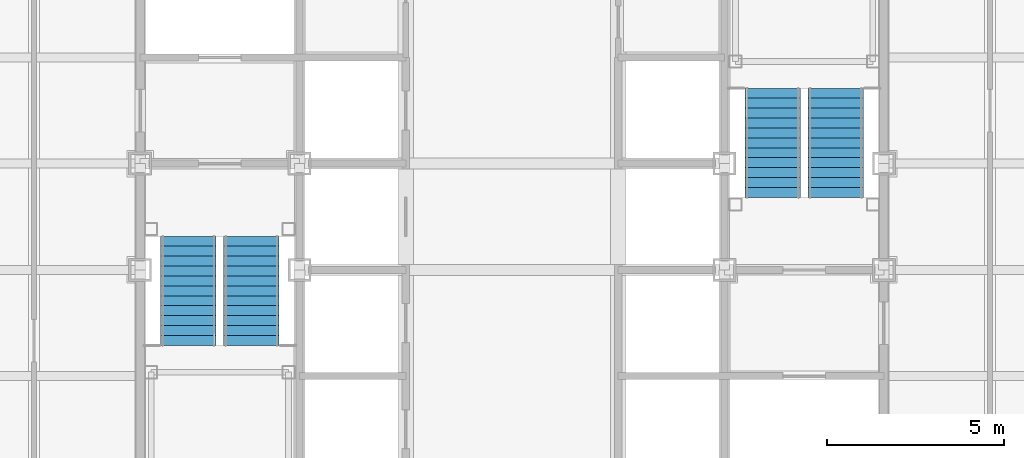
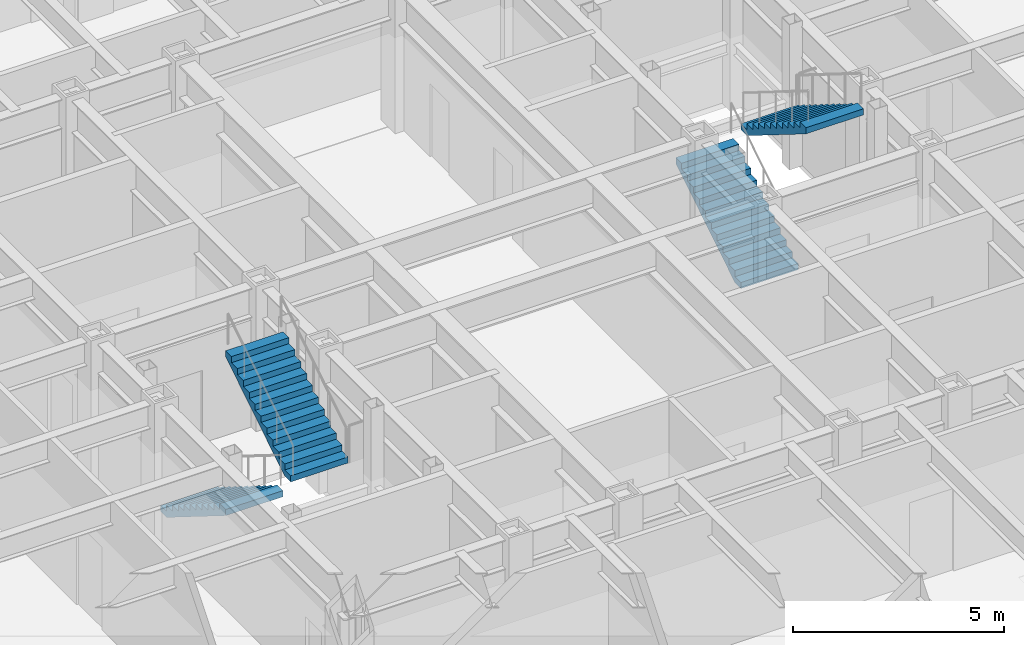
# One storey, part 13 of 15: 4 stair flights, 2 elements without a shape of their own.
"""IFC4 building model written with IfcOpenShell, lengths in metres."""

import ifcopenshell
import ifcopenshell.guid

model = None  # the IFC model being written
_history = None  # IfcOwnerHistory: only IFC2X3 demands one
_inside = {}  # id of a spatial element -> (the spatial element, [elements in it])
_under = {}  # id of a project, library or spatial element -> (it, [spatial elements below it])
_declared = {}  # id of a project -> (the project, [libraries it declares])
_typed = {}  # id of a type object -> (the type object, [elements of that type])
_made_of = {}  # id of a material, layer set ... -> (it, [elements and type objects made of it])


def new_model(schema):
    """Start an empty IFC model of exactly this schema.

    Asked for "IFC4X3", IfcOpenShell would pick the latest addendum, in which some entities
    have other attributes; the version numbers below select the first issue.
    IFC2X3 requires an IfcOwnerHistory on every rooted entity: one is made here for all.
    """
    global model, _history
    if schema == "IFC4X3":
        model = ifcopenshell.file(schema_version=(4, 3, 0, 0))
    else:
        model = ifcopenshell.file(schema=schema)
    _inside.clear()
    _under.clear()
    _declared.clear()
    _typed.clear()
    _made_of.clear()
    _history = None
    if model.schema == "IFC2X3":
        org = make("IfcOrganization", Name="unknown")
        user = make(
            "IfcPersonAndOrganization",
            ThePerson=make("IfcPerson", FamilyName="unknown"),
            TheOrganization=org,
        )
        app = make(
            "IfcApplication",
            ApplicationDeveloper=org,
            Version="unknown",
            ApplicationFullName="unknown",
            ApplicationIdentifier="unknown",
        )
        _history = make(
            "IfcOwnerHistory",
            OwningUser=user,
            OwningApplication=app,
            ChangeAction="ADDED",
            CreationDate=0,
        )
    return model


def make(cls, **values):
    """One entity of the class cls with the attributes given. An attribute that is None is left unset."""
    return model.create_entity(
        cls, **{name: value for name, value in values.items() if value is not None}
    )


def rooted(cls, **values):
    """An entity with a GlobalId (a new one), such as an element, a storey or a relation."""
    return make(cls, GlobalId=ifcopenshell.guid.new(), OwnerHistory=_history, **values)


def si_unit(unit_type, name, prefix=None):
    """IfcSIUnit, for example si_unit("LENGTHUNIT", "METRE", prefix="MILLI")."""
    return make("IfcSIUnit", UnitType=unit_type, Prefix=prefix, Name=name)


def assignment(units):
    """IfcUnitAssignment: the units of a project."""
    return None if units is None else make("IfcUnitAssignment", Units=units)


def point(xyz):
    """IfcCartesianPoint."""
    return None if xyz is None else make("IfcCartesianPoint", Coordinates=xyz)


def direction(xyz):
    """IfcDirection."""
    return None if xyz is None else make("IfcDirection", DirectionRatios=xyz)


def frame(location, z_axis=None, x_axis=None):
    """IfcAxis2Placement3D, a coordinate frame: its origin and axes. An axis left out is left unset."""
    return make(
        "IfcAxis2Placement3D",
        Location=point(location),
        Axis=direction(z_axis),
        RefDirection=direction(x_axis),
    )


def origin():
    """The frame at (0, 0, 0) with its axes left unset."""
    return frame((0.0, 0.0, 0.0))


def place(relative_to, where):
    """IfcLocalPlacement: puts the frame where relative to a parent placement (None: the world)."""
    return make(
        "IfcLocalPlacement", PlacementRelTo=relative_to, RelativePlacement=where
    )


def context(
    kind, dimensions, precision=None, world=None, true_north=None, identifier=None
):
    """IfcGeometricRepresentationContext, for example the 3D "Model" context."""
    return make(
        "IfcGeometricRepresentationContext",
        ContextIdentifier=identifier,
        ContextType=kind,
        CoordinateSpaceDimension=dimensions,
        Precision=precision,
        WorldCoordinateSystem=world,
        TrueNorth=true_north,
    )


def subcontext(parent, identifier, kind, view, scale=None):
    """IfcGeometricRepresentationSubContext, for example "Body" below "Model"."""
    return make(
        "IfcGeometricRepresentationSubContext",
        ContextIdentifier=identifier,
        ContextType=kind,
        ParentContext=parent,
        TargetScale=scale,
        TargetView=view,
    )


def project(units=None, contexts=None):
    """IfcProject with its units and contexts."""
    return rooted(
        "IfcProject",
        Name="project",
        RepresentationContexts=contexts,
        UnitsInContext=assignment(units),
    )


def spatial(cls, under=None, at=None, **own):
    """A site, building, storey or space (cls), placed at a placement, below another one or the project."""
    s = rooted(cls, ObjectPlacement=at, **own)
    if under is not None:
        _under.setdefault(under.id(), (under, []))[1].append(s)
    return s


def faces_of(points, faces, orient=None, outer=None):
    """IfcFace entities. A face is a list of loops; a loop is a list of indices into points, from 0.

    orient and outer hold one flag for each loop. By default every Orientation is true, the
    first loop of a face is its IfcFaceOuterBound and the others are IfcFaceBound.
    """
    made = []
    for i, loops in enumerate(faces):
        bounds = []
        for j, loop in enumerate(loops):
            is_outer = j == 0 if outer is None else outer[i][j]
            bounds.append(
                make(
                    "IfcFaceOuterBound" if is_outer else "IfcFaceBound",
                    Bound=make("IfcPolyLoop", Polygon=[points[k] for k in loop]),
                    Orientation=True if orient is None else orient[i][j],
                )
            )
        made.append(make("IfcFace", Bounds=bounds))
    return made


def faceted_brep(points, faces, orient=None, outer=None, voids=None):
    """IfcFacetedBrep: a solid bounded by flat faces; with voids (closed shells), ...WithVoids."""
    shared = [point(p) for p in points]
    hull = make("IfcClosedShell", CfsFaces=faces_of(shared, faces, orient, outer))
    if voids is None:
        return make("IfcFacetedBrep", Outer=hull)
    return make(
        "IfcFacetedBrepWithVoids",
        Outer=hull,
        Voids=[
            make(cls, CfsFaces=faces_of(shared, fs, o, b)) for cls, fs, o, b in voids
        ],
    )


def shape(context_of_items, identifier, shape_type, items):
    """IfcShapeRepresentation: the items that make up one representation, for example the "Body"."""
    return make(
        "IfcShapeRepresentation",
        ContextOfItems=context_of_items,
        RepresentationIdentifier=identifier,
        RepresentationType=shape_type,
        Items=items,
    )


def material(Name=None, Category=None):
    """IfcMaterial."""
    return make("IfcMaterial", Name=Name, Category=Category)


def made_of(thing, what):
    """Note that an element or type object is made of a material, layer set ...; save() writes the relation."""
    if what is not None:
        _made_of.setdefault(what.id(), (what, []))[1].append(thing)
    return thing


def type_object(cls, material=None, **own):
    """A type object (cls), such as IfcWallType, which elements share."""
    return made_of(rooted(cls, **own), material)


def element(
    cls,
    number,
    at=None,
    inside=None,
    cuts=None,
    type_object=None,
    material=None,
    context=None,
    identifier="Body",
    shape_type=None,
    held_by="IfcProductDefinitionShape",
    body=None,
    shapes=None,
    **own,
):
    """One element of the class cls, such as IfcWall. Its Tag is "e" and its number.

    at: its placement. inside: the storey or other place that contains it. cuts: it is an
    opening in that element (IfcRelVoidsElement). A single representation is given by context,
    identifier, shape_type and body (its items); several are given by shapes. held_by: the class
    of the entity that holds the representations. save() writes the other relations.
    """
    e = rooted(cls, Tag="e%d" % number, ObjectPlacement=at, **own)
    if body is not None:
        shapes = [shape(context, identifier, shape_type, body)]
    if shapes is not None:
        e.Representation = make(held_by, Representations=shapes)
    if inside is not None:
        _inside.setdefault(inside.id(), (inside, []))[1].append(e)
    if cuts is not None:
        rooted(
            "IfcRelVoidsElement", RelatingBuildingElement=cuts, RelatedOpeningElement=e
        )
    if type_object is not None:
        _typed.setdefault(type_object.id(), (type_object, []))[1].append(e)
    return made_of(e, material)


def aggregate(whole, parts):
    """IfcRelAggregates: a whole, such as a stair, and the parts it consists of."""
    return rooted("IfcRelAggregates", RelatingObject=whole, RelatedObjects=parts)


def save(model, path):
    """Write the relations noted so far, then the file.

    IfcRelAggregates (storeys below a building ...), IfcRelContainedInSpatialStructure (elements
    in a storey), IfcRelDefinesByType, IfcRelAssociatesMaterial and IfcRelDeclares: one each for
    every whole, place, type object, material and project.
    """
    for whole, parts in _under.values():
        aggregate(whole, parts)
    for where, things in _inside.values():
        rooted(
            "IfcRelContainedInSpatialStructure",
            RelatedElements=things,
            RelatingStructure=where,
        )
    for kind, things in _typed.values():
        rooted("IfcRelDefinesByType", RelatedObjects=things, RelatingType=kind)
    for what, things in _made_of.values():
        rooted("IfcRelAssociatesMaterial", RelatedObjects=things, RelatingMaterial=what)
    for by, libraries in _declared.values():
        rooted("IfcRelDeclares", RelatingContext=by, RelatedDefinitions=libraries)
    model.write(path)


model = new_model("IFC4")

# Units and contexts
model_context = context("Model", 3, precision=1e-05, world=origin(), true_north=direction((0.0, 1.0)))
body_context = subcontext(model_context, "Body", "Model", "MODEL_VIEW")
ifc_project = project(units=[si_unit("LENGTHUNIT", "METRE"), si_unit("AREAUNIT", "SQUARE_METRE"), si_unit("VOLUMEUNIT", "CUBIC_METRE"), si_unit("PLANEANGLEUNIT", "RADIAN"), si_unit("MASSUNIT", "GRAM", prefix="KILO")], contexts=[model_context])

# Site, building, storey
site_placement = place(None, origin())
site = spatial("IfcSite", under=ifc_project, at=site_placement, CompositionType="ELEMENT")
building_placement = place(site_placement, origin())
building = spatial("IfcBuilding", under=site, at=building_placement, Name="Chuquiago Exchange Tower", CompositionType="ELEMENT")
storey_placement = place(building_placement, frame((0.0, 0.0, 197.10009765625)))
storey = spatial("IfcBuildingStorey", under=building, at=storey_placement, Name="L43", CompositionType="ELEMENT", Elevation=197.10009765625)

# Stair, stair flights
ifc_material_1 = material(Name="Concrete C30/37, precast", Category="concrete")
stair_type_1 = type_object("IfcStairType", Name="ST1 half-turn stair 4200", PredefinedType="HALF_TURN_STAIR", material=ifc_material_1)
stair_1_placement = place(storey_placement, origin())
stair_1 = element("IfcStair", 1, at=stair_1_placement, inside=storey, type_object=stair_type_1, Name="Stair ST1 L43", PredefinedType="HALF_TURN_STAIR")
ifc_material_2 = material(Name="Concrete C30/37, precast", Category="concrete")
stair_flight_type = type_object("IfcStairFlightType", Name="ST-F flight 1570 for 4200 storey", PredefinedType="STRAIGHT", material=ifc_material_2)
stair_flight_1_placement = place(storey_placement, frame((13.360107421875, 21.949951171875, 0.0), z_axis=(0.0, 0.0, 1.0), x_axis=(0.0, -1.0, 0.0)))
stair_flight_1 = element("IfcStairFlight", 2, at=stair_flight_1_placement, type_object=stair_flight_type, Name="ST1 flight 1", NumberOfRisers=12, NumberOfTreads=11, PredefinedType="STRAIGHT", RiserHeight=0.175, TreadLength=0.28, context=body_context, shape_type="Brep", body=[
    faceted_brep([(0.0, 0.78515625, 0.0), (0.0, 0.78515625, 0.175048828125), (0.280029296875, 0.78515625, 0.175048828125), (0.280029296875, 0.78515625, 0.35009765625), (0.56005859375, 0.78515625, 0.35009765625), (0.56005859375, 0.78515625, 0.52490234375), (0.840087890625, 0.78515625, 0.52490234375), (0.840087890625, 0.78515625, 0.699951171875), (1.1201171875, 0.78515625, 0.699951171875), (1.1201171875, 0.78515625, 0.875), (1.39990234375, 0.78515625, 0.875), (1.39990234375, 0.78515625, 1.050048828125), (1.679931640625, 0.78515625, 1.050048828125), (1.679931640625, 0.78515625, 1.22509765625), (1.9599609375, 0.78515625, 1.22509765625), (1.9599609375, 0.78515625, 1.39990234375), (2.239990234375, 0.78515625, 1.39990234375), (2.239990234375, 0.78515625, 1.574951171875), (2.52001953125, 0.78515625, 1.574951171875), (2.52001953125, 0.78515625, 1.75), (2.800048828125, 0.78515625, 1.75), (2.800048828125, 0.78515625, 1.925048828125), (3.080078125, 0.78515625, 1.925048828125), (3.080078125, 0.78515625, 1.748291015625), (0.28271484375, 0.78515625, 0.0), (0.28271484375, -0.78515625, 0.0), (3.080078125, -0.78515625, 1.748291015625), (3.080078125, -0.78515625, 1.925048828125), (2.800048828125, -0.78515625, 1.925048828125), (2.800048828125, -0.78515625, 1.75), (2.52001953125, -0.78515625, 1.75), (2.52001953125, -0.78515625, 1.574951171875), (2.239990234375, -0.78515625, 1.574951171875), (2.239990234375, -0.78515625, 1.39990234375), (1.9599609375, -0.78515625, 1.39990234375), (1.9599609375, -0.78515625, 1.22509765625), (1.679931640625, -0.78515625, 1.22509765625), (1.679931640625, -0.78515625, 1.050048828125), (1.39990234375, -0.78515625, 1.050048828125), (1.39990234375, -0.78515625, 0.875), (1.1201171875, -0.78515625, 0.875), (1.1201171875, -0.78515625, 0.699951171875), (0.840087890625, -0.78515625, 0.699951171875), (0.840087890625, -0.78515625, 0.52490234375), (0.56005859375, -0.78515625, 0.52490234375), (0.56005859375, -0.78515625, 0.35009765625), (0.280029296875, -0.78515625, 0.35009765625), (0.280029296875, -0.78515625, 0.175048828125), (0.0, -0.78515625, 0.175048828125), (0.0, -0.78515625, 0.0), (0.0, 0.392578125, 0.0), (0.0, 0.392578125, 0.175048828125), (0.0, 0.0, 0.0), (0.0, 0.0, 0.175048828125), (0.0, -0.392578125, 0.0), (0.0, -0.392578125, 0.175048828125), (0.280029296875, 0.392578125, 0.175048828125), (0.280029296875, 0.0, 0.175048828125), (0.280029296875, -0.392578125, 0.175048828125), (0.280029296875, 0.392578125, 0.35009765625), (0.280029296875, 0.0, 0.35009765625), (0.280029296875, -0.392578125, 0.35009765625), (0.56005859375, 0.392578125, 0.35009765625), (0.56005859375, 0.0, 0.35009765625), (0.56005859375, -0.392578125, 0.35009765625), (0.56005859375, 0.392578125, 0.52490234375), (0.56005859375, 0.0, 0.52490234375), (0.56005859375, -0.392578125, 0.52490234375), (0.840087890625, 0.392578125, 0.52490234375), (0.840087890625, 0.0, 0.52490234375), (0.840087890625, -0.392578125, 0.52490234375), (0.840087890625, 0.392578125, 0.699951171875), (0.840087890625, 0.0, 0.699951171875), (0.840087890625, -0.392578125, 0.699951171875), (1.1201171875, 0.392578125, 0.699951171875), (1.1201171875, 0.0, 0.699951171875), (1.1201171875, -0.392578125, 0.699951171875), (1.1201171875, 0.392578125, 0.875), (1.1201171875, 0.0, 0.875), (1.1201171875, -0.392578125, 0.875), (1.39990234375, 0.392578125, 0.875), (1.39990234375, 0.0, 0.875), (1.39990234375, -0.392578125, 0.875), (1.39990234375, 0.392578125, 1.050048828125), (1.39990234375, 0.0, 1.050048828125), (1.39990234375, -0.392578125, 1.050048828125), (1.679931640625, 0.392578125, 1.050048828125), (1.679931640625, 0.0, 1.050048828125), (1.679931640625, -0.392578125, 1.050048828125), (1.679931640625, 0.392578125, 1.22509765625), (1.679931640625, 0.0, 1.22509765625), (1.679931640625, -0.392578125, 1.22509765625), (1.9599609375, 0.392578125, 1.22509765625), (1.9599609375, 0.0, 1.22509765625), (1.9599609375, -0.392578125, 1.22509765625), (1.9599609375, 0.392578125, 1.39990234375), (1.9599609375, 0.0, 1.39990234375), (1.9599609375, -0.392578125, 1.39990234375), (2.239990234375, 0.392578125, 1.39990234375), (2.239990234375, 0.0, 1.39990234375), (2.239990234375, -0.392578125, 1.39990234375), (2.239990234375, 0.392578125, 1.574951171875), (2.239990234375, 0.0, 1.574951171875), (2.239990234375, -0.392578125, 1.574951171875), (2.52001953125, 0.392578125, 1.574951171875), (2.52001953125, 0.0, 1.574951171875), (2.52001953125, -0.392578125, 1.574951171875), (2.52001953125, 0.392578125, 1.75), (2.52001953125, 0.0, 1.75), (2.52001953125, -0.392578125, 1.75), (2.800048828125, 0.392578125, 1.75), (2.800048828125, 0.0, 1.75), (2.800048828125, -0.392578125, 1.75), (2.800048828125, 0.392578125, 1.925048828125), (2.800048828125, 0.0, 1.925048828125), (2.800048828125, -0.392578125, 1.925048828125), (3.080078125, 0.392578125, 1.925048828125), (3.080078125, 0.0, 1.925048828125), (3.080078125, -0.392578125, 1.925048828125), (3.080078125, 0.392578125, 1.748291015625), (3.080078125, 0.0, 1.748291015625), (3.080078125, -0.392578125, 1.748291015625), (0.28271484375, 0.392578125, 0.0), (0.28271484375, 0.0, 0.0), (0.28271484375, -0.392578125, 0.0)], [[[0, 1, 2, 3, 4, 5, 6, 7, 8, 9, 10, 11, 12, 13, 14, 15, 16, 17, 18, 19, 20, 21, 22, 23, 24]], [[25, 26, 27, 28, 29, 30, 31, 32, 33, 34, 35, 36, 37, 38, 39, 40, 41, 42, 43, 44, 45, 46, 47, 48, 49]], [[1, 0, 50, 51]], [[51, 50, 52, 53]], [[53, 52, 54, 55]], [[55, 54, 49, 48]], [[2, 1, 51, 56]], [[56, 51, 53, 57]], [[57, 53, 55, 58]], [[58, 55, 48, 47]], [[3, 2, 56, 59]], [[59, 56, 57, 60]], [[60, 57, 58, 61]], [[61, 58, 47, 46]], [[4, 3, 59, 62]], [[62, 59, 60, 63]], [[63, 60, 61, 64]], [[64, 61, 46, 45]], [[5, 4, 62, 65]], [[65, 62, 63, 66]], [[66, 63, 64, 67]], [[67, 64, 45, 44]], [[6, 5, 65, 68]], [[68, 65, 66, 69]], [[69, 66, 67, 70]], [[70, 67, 44, 43]], [[7, 6, 68, 71]], [[71, 68, 69, 72]], [[72, 69, 70, 73]], [[73, 70, 43, 42]], [[8, 7, 71, 74]], [[74, 71, 72, 75]], [[75, 72, 73, 76]], [[76, 73, 42, 41]], [[9, 8, 74, 77]], [[77, 74, 75, 78]], [[78, 75, 76, 79]], [[79, 76, 41, 40]], [[10, 9, 77, 80]], [[80, 77, 78, 81]], [[81, 78, 79, 82]], [[82, 79, 40, 39]], [[11, 10, 80, 83]], [[83, 80, 81, 84]], [[84, 81, 82, 85]], [[85, 82, 39, 38]], [[12, 11, 83, 86]], [[86, 83, 84, 87]], [[87, 84, 85, 88]], [[88, 85, 38, 37]], [[13, 12, 86, 89]], [[89, 86, 87, 90]], [[90, 87, 88, 91]], [[91, 88, 37, 36]], [[14, 13, 89, 92]], [[92, 89, 90, 93]], [[93, 90, 91, 94]], [[94, 91, 36, 35]], [[15, 14, 92, 95]], [[95, 92, 93, 96]], [[96, 93, 94, 97]], [[97, 94, 35, 34]], [[16, 15, 95, 98]], [[98, 95, 96, 99]], [[99, 96, 97, 100]], [[100, 97, 34, 33]], [[17, 16, 98, 101]], [[101, 98, 99, 102]], [[102, 99, 100, 103]], [[103, 100, 33, 32]], [[18, 17, 101, 104]], [[104, 101, 102, 105]], [[105, 102, 103, 106]], [[106, 103, 32, 31]], [[19, 18, 104, 107]], [[107, 104, 105, 108]], [[108, 105, 106, 109]], [[109, 106, 31, 30]], [[20, 19, 107, 110]], [[110, 107, 108, 111]], [[111, 108, 109, 112]], [[112, 109, 30, 29]], [[21, 20, 110, 113]], [[113, 110, 111, 114]], [[114, 111, 112, 115]], [[115, 112, 29, 28]], [[22, 21, 113, 116]], [[116, 113, 114, 117]], [[117, 114, 115, 118]], [[118, 115, 28, 27]], [[23, 22, 116, 119]], [[119, 116, 117, 120]], [[120, 117, 118, 121]], [[121, 118, 27, 26]], [[24, 23, 119, 122]], [[122, 119, 120, 123]], [[123, 120, 121, 124]], [[124, 121, 26, 25]], [[0, 24, 122, 50]], [[50, 122, 123, 52]], [[52, 123, 124, 54]], [[54, 124, 25, 49]]]),
])
stair_flight_2_placement = place(storey_placement, frame((15.139892578125, 18.8701171875, 2.099853515625), z_axis=(0.0, 0.0, 1.0), x_axis=(0.0, 1.0, 0.0)))
stair_flight_2 = element("IfcStairFlight", 3, at=stair_flight_2_placement, type_object=stair_flight_type, Name="ST1 flight 2", NumberOfRisers=12, NumberOfTreads=11, PredefinedType="STRAIGHT", RiserHeight=0.175, TreadLength=0.28, context=body_context, shape_type="Brep", body=[
    faceted_brep([(0.0, 0.78515625, 0.0), (0.0, 0.78515625, 0.175048828125), (0.280029296875, 0.78515625, 0.175048828125), (0.280029296875, 0.78515625, 0.35009765625), (0.56005859375, 0.78515625, 0.35009765625), (0.56005859375, 0.78515625, 0.52490234375), (0.840087890625, 0.78515625, 0.52490234375), (0.840087890625, 0.78515625, 0.699951171875), (1.1201171875, 0.78515625, 0.699951171875), (1.1201171875, 0.78515625, 0.875), (1.39990234375, 0.78515625, 0.875), (1.39990234375, 0.78515625, 1.050048828125), (1.679931640625, 0.78515625, 1.050048828125), (1.679931640625, 0.78515625, 1.22509765625), (1.9599609375, 0.78515625, 1.22509765625), (1.9599609375, 0.78515625, 1.39990234375), (2.239990234375, 0.78515625, 1.39990234375), (2.239990234375, 0.78515625, 1.574951171875), (2.52001953125, 0.78515625, 1.574951171875), (2.52001953125, 0.78515625, 1.75), (2.800048828125, 0.78515625, 1.75), (2.800048828125, 0.78515625, 1.925048828125), (3.080078125, 0.78515625, 1.925048828125), (3.080078125, 0.78515625, 1.748291015625), (0.28271484375, 0.78515625, 0.0), (0.28271484375, -0.78515625, 0.0), (3.080078125, -0.78515625, 1.748291015625), (3.080078125, -0.78515625, 1.925048828125), (2.800048828125, -0.78515625, 1.925048828125), (2.800048828125, -0.78515625, 1.75), (2.52001953125, -0.78515625, 1.75), (2.52001953125, -0.78515625, 1.574951171875), (2.239990234375, -0.78515625, 1.574951171875), (2.239990234375, -0.78515625, 1.39990234375), (1.9599609375, -0.78515625, 1.39990234375), (1.9599609375, -0.78515625, 1.22509765625), (1.679931640625, -0.78515625, 1.22509765625), (1.679931640625, -0.78515625, 1.050048828125), (1.39990234375, -0.78515625, 1.050048828125), (1.39990234375, -0.78515625, 0.875), (1.1201171875, -0.78515625, 0.875), (1.1201171875, -0.78515625, 0.699951171875), (0.840087890625, -0.78515625, 0.699951171875), (0.840087890625, -0.78515625, 0.52490234375), (0.56005859375, -0.78515625, 0.52490234375), (0.56005859375, -0.78515625, 0.35009765625), (0.280029296875, -0.78515625, 0.35009765625), (0.280029296875, -0.78515625, 0.175048828125), (0.0, -0.78515625, 0.175048828125), (0.0, -0.78515625, 0.0), (0.0, 0.392578125, 0.0), (0.0, 0.392578125, 0.175048828125), (0.0, 0.0, 0.0), (0.0, 0.0, 0.175048828125), (0.0, -0.392578125, 0.0), (0.0, -0.392578125, 0.175048828125), (0.280029296875, 0.392578125, 0.175048828125), (0.280029296875, 0.0, 0.175048828125), (0.280029296875, -0.392578125, 0.175048828125), (0.280029296875, 0.392578125, 0.35009765625), (0.280029296875, 0.0, 0.35009765625), (0.280029296875, -0.392578125, 0.35009765625), (0.56005859375, 0.392578125, 0.35009765625), (0.56005859375, 0.0, 0.35009765625), (0.56005859375, -0.392578125, 0.35009765625), (0.56005859375, 0.392578125, 0.52490234375), (0.56005859375, 0.0, 0.52490234375), (0.56005859375, -0.392578125, 0.52490234375), (0.840087890625, 0.392578125, 0.52490234375), (0.840087890625, 0.0, 0.52490234375), (0.840087890625, -0.392578125, 0.52490234375), (0.840087890625, 0.392578125, 0.699951171875), (0.840087890625, 0.0, 0.699951171875), (0.840087890625, -0.392578125, 0.699951171875), (1.1201171875, 0.392578125, 0.699951171875), (1.1201171875, 0.0, 0.699951171875), (1.1201171875, -0.392578125, 0.699951171875), (1.1201171875, 0.392578125, 0.875), (1.1201171875, 0.0, 0.875), (1.1201171875, -0.392578125, 0.875), (1.39990234375, 0.392578125, 0.875), (1.39990234375, 0.0, 0.875), (1.39990234375, -0.392578125, 0.875), (1.39990234375, 0.392578125, 1.050048828125), (1.39990234375, 0.0, 1.050048828125), (1.39990234375, -0.392578125, 1.050048828125), (1.679931640625, 0.392578125, 1.050048828125), (1.679931640625, 0.0, 1.050048828125), (1.679931640625, -0.392578125, 1.050048828125), (1.679931640625, 0.392578125, 1.22509765625), (1.679931640625, 0.0, 1.22509765625), (1.679931640625, -0.392578125, 1.22509765625), (1.9599609375, 0.392578125, 1.22509765625), (1.9599609375, 0.0, 1.22509765625), (1.9599609375, -0.392578125, 1.22509765625), (1.9599609375, 0.392578125, 1.39990234375), (1.9599609375, 0.0, 1.39990234375), (1.9599609375, -0.392578125, 1.39990234375), (2.239990234375, 0.392578125, 1.39990234375), (2.239990234375, 0.0, 1.39990234375), (2.239990234375, -0.392578125, 1.39990234375), (2.239990234375, 0.392578125, 1.574951171875), (2.239990234375, 0.0, 1.574951171875), (2.239990234375, -0.392578125, 1.574951171875), (2.52001953125, 0.392578125, 1.574951171875), (2.52001953125, 0.0, 1.574951171875), (2.52001953125, -0.392578125, 1.574951171875), (2.52001953125, 0.392578125, 1.75), (2.52001953125, 0.0, 1.75), (2.52001953125, -0.392578125, 1.75), (2.800048828125, 0.392578125, 1.75), (2.800048828125, 0.0, 1.75), (2.800048828125, -0.392578125, 1.75), (2.800048828125, 0.392578125, 1.925048828125), (2.800048828125, 0.0, 1.925048828125), (2.800048828125, -0.392578125, 1.925048828125), (3.080078125, 0.392578125, 1.925048828125), (3.080078125, 0.0, 1.925048828125), (3.080078125, -0.392578125, 1.925048828125), (3.080078125, 0.392578125, 1.748291015625), (3.080078125, 0.0, 1.748291015625), (3.080078125, -0.392578125, 1.748291015625), (0.28271484375, 0.392578125, 0.0), (0.28271484375, 0.0, 0.0), (0.28271484375, -0.392578125, 0.0)], [[[0, 1, 2, 3, 4, 5, 6, 7, 8, 9, 10, 11, 12, 13, 14, 15, 16, 17, 18, 19, 20, 21, 22, 23, 24]], [[25, 26, 27, 28, 29, 30, 31, 32, 33, 34, 35, 36, 37, 38, 39, 40, 41, 42, 43, 44, 45, 46, 47, 48, 49]], [[1, 0, 50, 51]], [[51, 50, 52, 53]], [[53, 52, 54, 55]], [[55, 54, 49, 48]], [[2, 1, 51, 56]], [[56, 51, 53, 57]], [[57, 53, 55, 58]], [[58, 55, 48, 47]], [[3, 2, 56, 59]], [[59, 56, 57, 60]], [[60, 57, 58, 61]], [[61, 58, 47, 46]], [[4, 3, 59, 62]], [[62, 59, 60, 63]], [[63, 60, 61, 64]], [[64, 61, 46, 45]], [[5, 4, 62, 65]], [[65, 62, 63, 66]], [[66, 63, 64, 67]], [[67, 64, 45, 44]], [[6, 5, 65, 68]], [[68, 65, 66, 69]], [[69, 66, 67, 70]], [[70, 67, 44, 43]], [[7, 6, 68, 71]], [[71, 68, 69, 72]], [[72, 69, 70, 73]], [[73, 70, 43, 42]], [[8, 7, 71, 74]], [[74, 71, 72, 75]], [[75, 72, 73, 76]], [[76, 73, 42, 41]], [[9, 8, 74, 77]], [[77, 74, 75, 78]], [[78, 75, 76, 79]], [[79, 76, 41, 40]], [[10, 9, 77, 80]], [[80, 77, 78, 81]], [[81, 78, 79, 82]], [[82, 79, 40, 39]], [[11, 10, 80, 83]], [[83, 80, 81, 84]], [[84, 81, 82, 85]], [[85, 82, 39, 38]], [[12, 11, 83, 86]], [[86, 83, 84, 87]], [[87, 84, 85, 88]], [[88, 85, 38, 37]], [[13, 12, 86, 89]], [[89, 86, 87, 90]], [[90, 87, 88, 91]], [[91, 88, 37, 36]], [[14, 13, 89, 92]], [[92, 89, 90, 93]], [[93, 90, 91, 94]], [[94, 91, 36, 35]], [[15, 14, 92, 95]], [[95, 92, 93, 96]], [[96, 93, 94, 97]], [[97, 94, 35, 34]], [[16, 15, 95, 98]], [[98, 95, 96, 99]], [[99, 96, 97, 100]], [[100, 97, 34, 33]], [[17, 16, 98, 101]], [[101, 98, 99, 102]], [[102, 99, 100, 103]], [[103, 100, 33, 32]], [[18, 17, 101, 104]], [[104, 101, 102, 105]], [[105, 102, 103, 106]], [[106, 103, 32, 31]], [[19, 18, 104, 107]], [[107, 104, 105, 108]], [[108, 105, 106, 109]], [[109, 106, 31, 30]], [[20, 19, 107, 110]], [[110, 107, 108, 111]], [[111, 108, 109, 112]], [[112, 109, 30, 29]], [[21, 20, 110, 113]], [[113, 110, 111, 114]], [[114, 111, 112, 115]], [[115, 112, 29, 28]], [[22, 21, 113, 116]], [[116, 113, 114, 117]], [[117, 114, 115, 118]], [[118, 115, 28, 27]], [[23, 22, 116, 119]], [[119, 116, 117, 120]], [[120, 117, 118, 121]], [[121, 118, 27, 26]], [[24, 23, 119, 122]], [[122, 119, 120, 123]], [[123, 120, 121, 124]], [[124, 121, 26, 25]], [[0, 24, 122, 50]], [[50, 122, 123, 52]], [[52, 123, 124, 54]], [[54, 124, 25, 49]]]),
])
aggregate(stair_1, [stair_flight_1, stair_flight_2])

ifc_material_3 = material(Name="Concrete C30/37, precast", Category="concrete")
stair_type_2 = type_object("IfcStairType", Name="ST2 half-turn stair 4200", PredefinedType="HALF_TURN_STAIR", material=ifc_material_3)
stair_2_placement = place(storey_placement, origin())
stair_2 = element("IfcStair", 4, at=stair_2_placement, inside=storey, type_object=stair_type_2, Name="Stair ST2 L43", PredefinedType="HALF_TURN_STAIR")
stair_flight_3_placement = place(storey_placement, frame((29.860107421875, 23.050048828125, 0.0), z_axis=(0.0, 0.0, 1.0), x_axis=(0.0, 1.0, 0.0)))
stair_flight_3 = element("IfcStairFlight", 5, at=stair_flight_3_placement, type_object=stair_flight_type, Name="ST2 flight 1", NumberOfRisers=12, NumberOfTreads=11, PredefinedType="STRAIGHT", RiserHeight=0.175, TreadLength=0.28, context=body_context, shape_type="Brep", body=[
    faceted_brep([(0.0, 0.78515625, 0.0), (0.0, 0.78515625, 0.175048828125), (0.280029296875, 0.78515625, 0.175048828125), (0.280029296875, 0.78515625, 0.35009765625), (0.56005859375, 0.78515625, 0.35009765625), (0.56005859375, 0.78515625, 0.52490234375), (0.840087890625, 0.78515625, 0.52490234375), (0.840087890625, 0.78515625, 0.699951171875), (1.1201171875, 0.78515625, 0.699951171875), (1.1201171875, 0.78515625, 0.875), (1.39990234375, 0.78515625, 0.875), (1.39990234375, 0.78515625, 1.050048828125), (1.679931640625, 0.78515625, 1.050048828125), (1.679931640625, 0.78515625, 1.22509765625), (1.9599609375, 0.78515625, 1.22509765625), (1.9599609375, 0.78515625, 1.39990234375), (2.239990234375, 0.78515625, 1.39990234375), (2.239990234375, 0.78515625, 1.574951171875), (2.52001953125, 0.78515625, 1.574951171875), (2.52001953125, 0.78515625, 1.75), (2.800048828125, 0.78515625, 1.75), (2.800048828125, 0.78515625, 1.925048828125), (3.080078125, 0.78515625, 1.925048828125), (3.080078125, 0.78515625, 1.748291015625), (0.28271484375, 0.78515625, 0.0), (0.28271484375, -0.78515625, 0.0), (3.080078125, -0.78515625, 1.748291015625), (3.080078125, -0.78515625, 1.925048828125), (2.800048828125, -0.78515625, 1.925048828125), (2.800048828125, -0.78515625, 1.75), (2.52001953125, -0.78515625, 1.75), (2.52001953125, -0.78515625, 1.574951171875), (2.239990234375, -0.78515625, 1.574951171875), (2.239990234375, -0.78515625, 1.39990234375), (1.9599609375, -0.78515625, 1.39990234375), (1.9599609375, -0.78515625, 1.22509765625), (1.679931640625, -0.78515625, 1.22509765625), (1.679931640625, -0.78515625, 1.050048828125), (1.39990234375, -0.78515625, 1.050048828125), (1.39990234375, -0.78515625, 0.875), (1.1201171875, -0.78515625, 0.875), (1.1201171875, -0.78515625, 0.699951171875), (0.840087890625, -0.78515625, 0.699951171875), (0.840087890625, -0.78515625, 0.52490234375), (0.56005859375, -0.78515625, 0.52490234375), (0.56005859375, -0.78515625, 0.35009765625), (0.280029296875, -0.78515625, 0.35009765625), (0.280029296875, -0.78515625, 0.175048828125), (0.0, -0.78515625, 0.175048828125), (0.0, -0.78515625, 0.0), (0.0, 0.392578125, 0.0), (0.0, 0.392578125, 0.175048828125), (0.0, 0.0, 0.0), (0.0, 0.0, 0.175048828125), (0.0, -0.392578125, 0.0), (0.0, -0.392578125, 0.175048828125), (0.280029296875, 0.392578125, 0.175048828125), (0.280029296875, 0.0, 0.175048828125), (0.280029296875, -0.392578125, 0.175048828125), (0.280029296875, 0.392578125, 0.35009765625), (0.280029296875, 0.0, 0.35009765625), (0.280029296875, -0.392578125, 0.35009765625), (0.56005859375, 0.392578125, 0.35009765625), (0.56005859375, 0.0, 0.35009765625), (0.56005859375, -0.392578125, 0.35009765625), (0.56005859375, 0.392578125, 0.52490234375), (0.56005859375, 0.0, 0.52490234375), (0.56005859375, -0.392578125, 0.52490234375), (0.840087890625, 0.392578125, 0.52490234375), (0.840087890625, 0.0, 0.52490234375), (0.840087890625, -0.392578125, 0.52490234375), (0.840087890625, 0.392578125, 0.699951171875), (0.840087890625, 0.0, 0.699951171875), (0.840087890625, -0.392578125, 0.699951171875), (1.1201171875, 0.392578125, 0.699951171875), (1.1201171875, 0.0, 0.699951171875), (1.1201171875, -0.392578125, 0.699951171875), (1.1201171875, 0.392578125, 0.875), (1.1201171875, 0.0, 0.875), (1.1201171875, -0.392578125, 0.875), (1.39990234375, 0.392578125, 0.875), (1.39990234375, 0.0, 0.875), (1.39990234375, -0.392578125, 0.875), (1.39990234375, 0.392578125, 1.050048828125), (1.39990234375, 0.0, 1.050048828125), (1.39990234375, -0.392578125, 1.050048828125), (1.679931640625, 0.392578125, 1.050048828125), (1.679931640625, 0.0, 1.050048828125), (1.679931640625, -0.392578125, 1.050048828125), (1.679931640625, 0.392578125, 1.22509765625), (1.679931640625, 0.0, 1.22509765625), (1.679931640625, -0.392578125, 1.22509765625), (1.9599609375, 0.392578125, 1.22509765625), (1.9599609375, 0.0, 1.22509765625), (1.9599609375, -0.392578125, 1.22509765625), (1.9599609375, 0.392578125, 1.39990234375), (1.9599609375, 0.0, 1.39990234375), (1.9599609375, -0.392578125, 1.39990234375), (2.239990234375, 0.392578125, 1.39990234375), (2.239990234375, 0.0, 1.39990234375), (2.239990234375, -0.392578125, 1.39990234375), (2.239990234375, 0.392578125, 1.574951171875), (2.239990234375, 0.0, 1.574951171875), (2.239990234375, -0.392578125, 1.574951171875), (2.52001953125, 0.392578125, 1.574951171875), (2.52001953125, 0.0, 1.574951171875), (2.52001953125, -0.392578125, 1.574951171875), (2.52001953125, 0.392578125, 1.75), (2.52001953125, 0.0, 1.75), (2.52001953125, -0.392578125, 1.75), (2.800048828125, 0.392578125, 1.75), (2.800048828125, 0.0, 1.75), (2.800048828125, -0.392578125, 1.75), (2.800048828125, 0.392578125, 1.925048828125), (2.800048828125, 0.0, 1.925048828125), (2.800048828125, -0.392578125, 1.925048828125), (3.080078125, 0.392578125, 1.925048828125), (3.080078125, 0.0, 1.925048828125), (3.080078125, -0.392578125, 1.925048828125), (3.080078125, 0.392578125, 1.748291015625), (3.080078125, 0.0, 1.748291015625), (3.080078125, -0.392578125, 1.748291015625), (0.28271484375, 0.392578125, 0.0), (0.28271484375, 0.0, 0.0), (0.28271484375, -0.392578125, 0.0)], [[[0, 1, 2, 3, 4, 5, 6, 7, 8, 9, 10, 11, 12, 13, 14, 15, 16, 17, 18, 19, 20, 21, 22, 23, 24]], [[25, 26, 27, 28, 29, 30, 31, 32, 33, 34, 35, 36, 37, 38, 39, 40, 41, 42, 43, 44, 45, 46, 47, 48, 49]], [[1, 0, 50, 51]], [[51, 50, 52, 53]], [[53, 52, 54, 55]], [[55, 54, 49, 48]], [[2, 1, 51, 56]], [[56, 51, 53, 57]], [[57, 53, 55, 58]], [[58, 55, 48, 47]], [[3, 2, 56, 59]], [[59, 56, 57, 60]], [[60, 57, 58, 61]], [[61, 58, 47, 46]], [[4, 3, 59, 62]], [[62, 59, 60, 63]], [[63, 60, 61, 64]], [[64, 61, 46, 45]], [[5, 4, 62, 65]], [[65, 62, 63, 66]], [[66, 63, 64, 67]], [[67, 64, 45, 44]], [[6, 5, 65, 68]], [[68, 65, 66, 69]], [[69, 66, 67, 70]], [[70, 67, 44, 43]], [[7, 6, 68, 71]], [[71, 68, 69, 72]], [[72, 69, 70, 73]], [[73, 70, 43, 42]], [[8, 7, 71, 74]], [[74, 71, 72, 75]], [[75, 72, 73, 76]], [[76, 73, 42, 41]], [[9, 8, 74, 77]], [[77, 74, 75, 78]], [[78, 75, 76, 79]], [[79, 76, 41, 40]], [[10, 9, 77, 80]], [[80, 77, 78, 81]], [[81, 78, 79, 82]], [[82, 79, 40, 39]], [[11, 10, 80, 83]], [[83, 80, 81, 84]], [[84, 81, 82, 85]], [[85, 82, 39, 38]], [[12, 11, 83, 86]], [[86, 83, 84, 87]], [[87, 84, 85, 88]], [[88, 85, 38, 37]], [[13, 12, 86, 89]], [[89, 86, 87, 90]], [[90, 87, 88, 91]], [[91, 88, 37, 36]], [[14, 13, 89, 92]], [[92, 89, 90, 93]], [[93, 90, 91, 94]], [[94, 91, 36, 35]], [[15, 14, 92, 95]], [[95, 92, 93, 96]], [[96, 93, 94, 97]], [[97, 94, 35, 34]], [[16, 15, 95, 98]], [[98, 95, 96, 99]], [[99, 96, 97, 100]], [[100, 97, 34, 33]], [[17, 16, 98, 101]], [[101, 98, 99, 102]], [[102, 99, 100, 103]], [[103, 100, 33, 32]], [[18, 17, 101, 104]], [[104, 101, 102, 105]], [[105, 102, 103, 106]], [[106, 103, 32, 31]], [[19, 18, 104, 107]], [[107, 104, 105, 108]], [[108, 105, 106, 109]], [[109, 106, 31, 30]], [[20, 19, 107, 110]], [[110, 107, 108, 111]], [[111, 108, 109, 112]], [[112, 109, 30, 29]], [[21, 20, 110, 113]], [[113, 110, 111, 114]], [[114, 111, 112, 115]], [[115, 112, 29, 28]], [[22, 21, 113, 116]], [[116, 113, 114, 117]], [[117, 114, 115, 118]], [[118, 115, 28, 27]], [[23, 22, 116, 119]], [[119, 116, 117, 120]], [[120, 117, 118, 121]], [[121, 118, 27, 26]], [[24, 23, 119, 122]], [[122, 119, 120, 123]], [[123, 120, 121, 124]], [[124, 121, 26, 25]], [[0, 24, 122, 50]], [[50, 122, 123, 52]], [[52, 123, 124, 54]], [[54, 124, 25, 49]]]),
])
stair_flight_4_placement = place(storey_placement, frame((31.639892578125, 26.1298828125, 2.099853515625), z_axis=(0.0, 0.0, 1.0), x_axis=(0.0, -1.0, 0.0)))
stair_flight_4 = element("IfcStairFlight", 6, at=stair_flight_4_placement, type_object=stair_flight_type, Name="ST2 flight 2", NumberOfRisers=12, NumberOfTreads=11, PredefinedType="STRAIGHT", RiserHeight=0.175, TreadLength=0.28, context=body_context, shape_type="Brep", body=[
    faceted_brep([(0.0, 0.78515625, 0.0), (0.0, 0.78515625, 0.175048828125), (0.280029296875, 0.78515625, 0.175048828125), (0.280029296875, 0.78515625, 0.35009765625), (0.56005859375, 0.78515625, 0.35009765625), (0.56005859375, 0.78515625, 0.52490234375), (0.840087890625, 0.78515625, 0.52490234375), (0.840087890625, 0.78515625, 0.699951171875), (1.1201171875, 0.78515625, 0.699951171875), (1.1201171875, 0.78515625, 0.875), (1.39990234375, 0.78515625, 0.875), (1.39990234375, 0.78515625, 1.050048828125), (1.679931640625, 0.78515625, 1.050048828125), (1.679931640625, 0.78515625, 1.22509765625), (1.9599609375, 0.78515625, 1.22509765625), (1.9599609375, 0.78515625, 1.39990234375), (2.239990234375, 0.78515625, 1.39990234375), (2.239990234375, 0.78515625, 1.574951171875), (2.52001953125, 0.78515625, 1.574951171875), (2.52001953125, 0.78515625, 1.75), (2.800048828125, 0.78515625, 1.75), (2.800048828125, 0.78515625, 1.925048828125), (3.080078125, 0.78515625, 1.925048828125), (3.080078125, 0.78515625, 1.748291015625), (0.28271484375, 0.78515625, 0.0), (0.28271484375, -0.78515625, 0.0), (3.080078125, -0.78515625, 1.748291015625), (3.080078125, -0.78515625, 1.925048828125), (2.800048828125, -0.78515625, 1.925048828125), (2.800048828125, -0.78515625, 1.75), (2.52001953125, -0.78515625, 1.75), (2.52001953125, -0.78515625, 1.574951171875), (2.239990234375, -0.78515625, 1.574951171875), (2.239990234375, -0.78515625, 1.39990234375), (1.9599609375, -0.78515625, 1.39990234375), (1.9599609375, -0.78515625, 1.22509765625), (1.679931640625, -0.78515625, 1.22509765625), (1.679931640625, -0.78515625, 1.050048828125), (1.39990234375, -0.78515625, 1.050048828125), (1.39990234375, -0.78515625, 0.875), (1.1201171875, -0.78515625, 0.875), (1.1201171875, -0.78515625, 0.699951171875), (0.840087890625, -0.78515625, 0.699951171875), (0.840087890625, -0.78515625, 0.52490234375), (0.56005859375, -0.78515625, 0.52490234375), (0.56005859375, -0.78515625, 0.35009765625), (0.280029296875, -0.78515625, 0.35009765625), (0.280029296875, -0.78515625, 0.175048828125), (0.0, -0.78515625, 0.175048828125), (0.0, -0.78515625, 0.0), (0.0, 0.392578125, 0.0), (0.0, 0.392578125, 0.175048828125), (0.0, 0.0, 0.0), (0.0, 0.0, 0.175048828125), (0.0, -0.392578125, 0.0), (0.0, -0.392578125, 0.175048828125), (0.280029296875, 0.392578125, 0.175048828125), (0.280029296875, 0.0, 0.175048828125), (0.280029296875, -0.392578125, 0.175048828125), (0.280029296875, 0.392578125, 0.35009765625), (0.280029296875, 0.0, 0.35009765625), (0.280029296875, -0.392578125, 0.35009765625), (0.56005859375, 0.392578125, 0.35009765625), (0.56005859375, 0.0, 0.35009765625), (0.56005859375, -0.392578125, 0.35009765625), (0.56005859375, 0.392578125, 0.52490234375), (0.56005859375, 0.0, 0.52490234375), (0.56005859375, -0.392578125, 0.52490234375), (0.840087890625, 0.392578125, 0.52490234375), (0.840087890625, 0.0, 0.52490234375), (0.840087890625, -0.392578125, 0.52490234375), (0.840087890625, 0.392578125, 0.699951171875), (0.840087890625, 0.0, 0.699951171875), (0.840087890625, -0.392578125, 0.699951171875), (1.1201171875, 0.392578125, 0.699951171875), (1.1201171875, 0.0, 0.699951171875), (1.1201171875, -0.392578125, 0.699951171875), (1.1201171875, 0.392578125, 0.875), (1.1201171875, 0.0, 0.875), (1.1201171875, -0.392578125, 0.875), (1.39990234375, 0.392578125, 0.875), (1.39990234375, 0.0, 0.875), (1.39990234375, -0.392578125, 0.875), (1.39990234375, 0.392578125, 1.050048828125), (1.39990234375, 0.0, 1.050048828125), (1.39990234375, -0.392578125, 1.050048828125), (1.679931640625, 0.392578125, 1.050048828125), (1.679931640625, 0.0, 1.050048828125), (1.679931640625, -0.392578125, 1.050048828125), (1.679931640625, 0.392578125, 1.22509765625), (1.679931640625, 0.0, 1.22509765625), (1.679931640625, -0.392578125, 1.22509765625), (1.9599609375, 0.392578125, 1.22509765625), (1.9599609375, 0.0, 1.22509765625), (1.9599609375, -0.392578125, 1.22509765625), (1.9599609375, 0.392578125, 1.39990234375), (1.9599609375, 0.0, 1.39990234375), (1.9599609375, -0.392578125, 1.39990234375), (2.239990234375, 0.392578125, 1.39990234375), (2.239990234375, 0.0, 1.39990234375), (2.239990234375, -0.392578125, 1.39990234375), (2.239990234375, 0.392578125, 1.574951171875), (2.239990234375, 0.0, 1.574951171875), (2.239990234375, -0.392578125, 1.574951171875), (2.52001953125, 0.392578125, 1.574951171875), (2.52001953125, 0.0, 1.574951171875), (2.52001953125, -0.392578125, 1.574951171875), (2.52001953125, 0.392578125, 1.75), (2.52001953125, 0.0, 1.75), (2.52001953125, -0.392578125, 1.75), (2.800048828125, 0.392578125, 1.75), (2.800048828125, 0.0, 1.75), (2.800048828125, -0.392578125, 1.75), (2.800048828125, 0.392578125, 1.925048828125), (2.800048828125, 0.0, 1.925048828125), (2.800048828125, -0.392578125, 1.925048828125), (3.080078125, 0.392578125, 1.925048828125), (3.080078125, 0.0, 1.925048828125), (3.080078125, -0.392578125, 1.925048828125), (3.080078125, 0.392578125, 1.748291015625), (3.080078125, 0.0, 1.748291015625), (3.080078125, -0.392578125, 1.748291015625), (0.28271484375, 0.392578125, 0.0), (0.28271484375, 0.0, 0.0), (0.28271484375, -0.392578125, 0.0)], [[[0, 1, 2, 3, 4, 5, 6, 7, 8, 9, 10, 11, 12, 13, 14, 15, 16, 17, 18, 19, 20, 21, 22, 23, 24]], [[25, 26, 27, 28, 29, 30, 31, 32, 33, 34, 35, 36, 37, 38, 39, 40, 41, 42, 43, 44, 45, 46, 47, 48, 49]], [[1, 0, 50, 51]], [[51, 50, 52, 53]], [[53, 52, 54, 55]], [[55, 54, 49, 48]], [[2, 1, 51, 56]], [[56, 51, 53, 57]], [[57, 53, 55, 58]], [[58, 55, 48, 47]], [[3, 2, 56, 59]], [[59, 56, 57, 60]], [[60, 57, 58, 61]], [[61, 58, 47, 46]], [[4, 3, 59, 62]], [[62, 59, 60, 63]], [[63, 60, 61, 64]], [[64, 61, 46, 45]], [[5, 4, 62, 65]], [[65, 62, 63, 66]], [[66, 63, 64, 67]], [[67, 64, 45, 44]], [[6, 5, 65, 68]], [[68, 65, 66, 69]], [[69, 66, 67, 70]], [[70, 67, 44, 43]], [[7, 6, 68, 71]], [[71, 68, 69, 72]], [[72, 69, 70, 73]], [[73, 70, 43, 42]], [[8, 7, 71, 74]], [[74, 71, 72, 75]], [[75, 72, 73, 76]], [[76, 73, 42, 41]], [[9, 8, 74, 77]], [[77, 74, 75, 78]], [[78, 75, 76, 79]], [[79, 76, 41, 40]], [[10, 9, 77, 80]], [[80, 77, 78, 81]], [[81, 78, 79, 82]], [[82, 79, 40, 39]], [[11, 10, 80, 83]], [[83, 80, 81, 84]], [[84, 81, 82, 85]], [[85, 82, 39, 38]], [[12, 11, 83, 86]], [[86, 83, 84, 87]], [[87, 84, 85, 88]], [[88, 85, 38, 37]], [[13, 12, 86, 89]], [[89, 86, 87, 90]], [[90, 87, 88, 91]], [[91, 88, 37, 36]], [[14, 13, 89, 92]], [[92, 89, 90, 93]], [[93, 90, 91, 94]], [[94, 91, 36, 35]], [[15, 14, 92, 95]], [[95, 92, 93, 96]], [[96, 93, 94, 97]], [[97, 94, 35, 34]], [[16, 15, 95, 98]], [[98, 95, 96, 99]], [[99, 96, 97, 100]], [[100, 97, 34, 33]], [[17, 16, 98, 101]], [[101, 98, 99, 102]], [[102, 99, 100, 103]], [[103, 100, 33, 32]], [[18, 17, 101, 104]], [[104, 101, 102, 105]], [[105, 102, 103, 106]], [[106, 103, 32, 31]], [[19, 18, 104, 107]], [[107, 104, 105, 108]], [[108, 105, 106, 109]], [[109, 106, 31, 30]], [[20, 19, 107, 110]], [[110, 107, 108, 111]], [[111, 108, 109, 112]], [[112, 109, 30, 29]], [[21, 20, 110, 113]], [[113, 110, 111, 114]], [[114, 111, 112, 115]], [[115, 112, 29, 28]], [[22, 21, 113, 116]], [[116, 113, 114, 117]], [[117, 114, 115, 118]], [[118, 115, 28, 27]], [[23, 22, 116, 119]], [[119, 116, 117, 120]], [[120, 117, 118, 121]], [[121, 118, 27, 26]], [[24, 23, 119, 122]], [[122, 119, 120, 123]], [[123, 120, 121, 124]], [[124, 121, 26, 25]], [[0, 24, 122, 50]], [[50, 122, 123, 52]], [[52, 123, 124, 54]], [[54, 124, 25, 49]]]),
])
aggregate(stair_2, [stair_flight_3, stair_flight_4])

save(model, "model.ifc")
